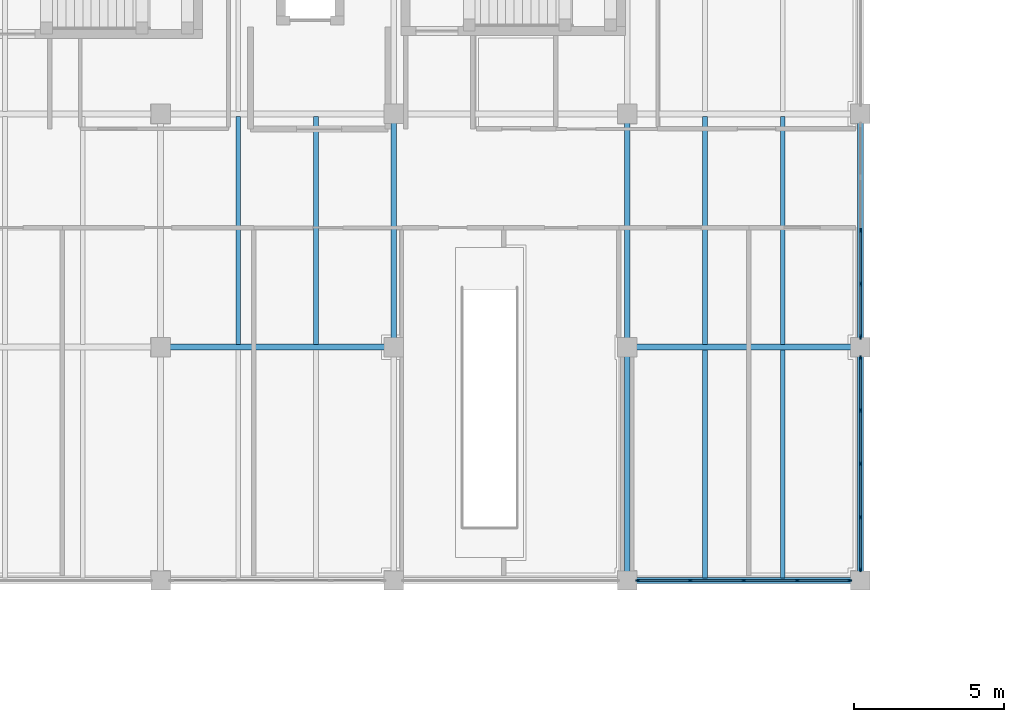
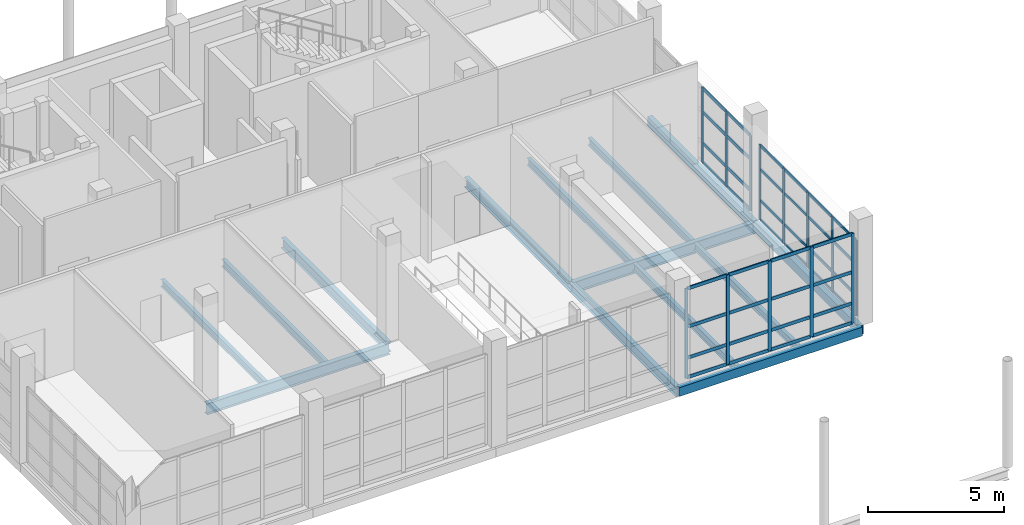
# One storey, part 40 of 138: 53 members, 14 beams, 3 elements without a shape of their own.
"""IFC4 building model written with IfcOpenShell, lengths in metres."""

from ifc_helpers import new_model, si_unit, direction, frame, origin, origin_2d, place, context, subcontext, project, spatial, rectangle, hollow_rectangle, i_section, extrude, material, layer, layer_set, material_profile, profile_set, type_object, element, aggregate, save


model = new_model("IFC4")

# Units and contexts
model_context = context("Model", 3, precision=1e-05, world=origin(), true_north=direction((0.0, 1.0)))
body_context = subcontext(model_context, "Body", "Model", "MODEL_VIEW")
ifc_project = project(units=[si_unit("LENGTHUNIT", "METRE"), si_unit("AREAUNIT", "SQUARE_METRE"), si_unit("VOLUMEUNIT", "CUBIC_METRE"), si_unit("PLANEANGLEUNIT", "RADIAN"), si_unit("MASSUNIT", "GRAM", prefix="KILO")], contexts=[model_context])

# Site, building, storey
site_placement = place(None, origin())
site = spatial("IfcSite", under=ifc_project, at=site_placement, CompositionType="ELEMENT")
building_placement = place(site_placement, origin())
building = spatial("IfcBuilding", under=site, at=building_placement, Name="Celorna Specialist Clinic", CompositionType="ELEMENT")
storey_placement = place(building_placement, frame((0.0, 0.0, 4.800048828125)))
storey = spatial("IfcBuildingStorey", under=building, at=storey_placement, Name="L01", CompositionType="ELEMENT", Elevation=4.800048828125)

# Beams
ifc_material_1 = material(Name="Steel S355", Category="steel")
ifc_material_profile_1 = material_profile(ifc_material_1, i_section(OverallWidth=0.199951171875, OverallDepth=0.5, WebThickness=0.01025390625, FlangeThickness=0.01611328125, at=origin_2d()), Name="IPE 500")
ifc_profile_set_1 = profile_set([ifc_material_profile_1], Name="Steel S355")
beam_type_1 = type_object("IfcBeamType", Name="BM-08", PredefinedType="BEAM", material=ifc_profile_set_1)
for number, where, z_axis, x_axis, name in (
    (1, (62.39990234375, 27.300048828125, -0.510009765625), (1.0, 0.0, 0.0), (0.0, 1.0, 0.0), "Primary girder BM-08 #2069"),
    (2, (78.0, 27.300048828125, -0.510009765625), (1.0, 0.0, 0.0), (0.0, 1.0, 0.0), "Primary girder BM-08 #2070"),
):
    element("IfcBeam", number, at=place(storey_placement, frame(where, z_axis=z_axis, x_axis=x_axis)), inside=storey, type_object=beam_type_1, Name=name, PredefinedType="BEAM", context=body_context, shape_type="SweptSolid", body=[
        extrude(i_section(OverallWidth=0.199951171875, OverallDepth=0.5, WebThickness=0.01025390625, FlangeThickness=0.01611328125, at=origin_2d()), origin(), (0.0, 0.0, 1.0), 7.800048828125),
    ])
ifc_material_profile_2 = material_profile(ifc_material_1, i_section(OverallWidth=0.18994140625, OverallDepth=0.449951171875, WebThickness=0.009521484375, FlangeThickness=0.0146484375, at=origin_2d()), Name="IPE 450")
ifc_profile_set_2 = profile_set([ifc_material_profile_2], Name="Steel S355")
beam_type_2 = type_object("IfcBeamType", Name="BM-09", PredefinedType="BEAM", material=ifc_profile_set_2)
for number, where, z_axis, x_axis, name in (
    (3, (70.199951171875, 27.300048828125, -0.485107421875), (0.0, 1.0, 0.0), (-1.0, 0.0, 0.0), "Transverse girder BM-09 #2085"),
    (4, (78.0, 19.5, -0.485107421875), (0.0, 1.0, 0.0), (-1.0, 0.0, 0.0), "Transverse girder BM-09 #2087"),
    (5, (78.0, 27.300048828125, -0.485107421875), (0.0, 1.0, 0.0), (-1.0, 0.0, 0.0), "Transverse girder BM-09 #2088"),
):
    element("IfcBeam", number, at=place(storey_placement, frame(where, z_axis=z_axis, x_axis=x_axis)), inside=storey, type_object=beam_type_2, Name=name, PredefinedType="BEAM", context=body_context, shape_type="SweptSolid", body=[
        extrude(i_section(OverallWidth=0.18994140625, OverallDepth=0.449951171875, WebThickness=0.009521484375, FlangeThickness=0.0146484375, at=origin_2d()), origin(), (0.0, 0.0, 1.0), 7.800048828125),
    ])
ifc_material_profile_3 = material_profile(ifc_material_1, i_section(OverallWidth=0.159912109375, OverallDepth=0.330078125, WebThickness=0.007568359375, FlangeThickness=0.011474609375, at=origin_2d()), Name="IPE 330")
ifc_profile_set_3 = profile_set([ifc_material_profile_3], Name="Steel S355")
beam_type_3 = type_object("IfcBeamType", Name="BM-12", PredefinedType="JOIST", material=ifc_profile_set_3)
for number, where, z_axis, x_axis, name in (
    (6, (65.0, 27.387939453125, -0.425048828125), (0.0, 1.0, 0.0), (-1.0, 0.0, 0.0), "Secondary floor joist BM-12 #2100"),
    (7, (67.60009765625, 27.387939453125, -0.425048828125), (0.0, 1.0, 0.0), (-1.0, 0.0, 0.0), "Secondary floor joist BM-12 #2101"),
    (8, (80.60009765625, 19.587890625, -0.425048828125), (0.0, 1.0, 0.0), (-1.0, 0.0, 0.0), "Secondary floor joist BM-12 #2103"),
    (9, (83.199951171875, 19.587890625, -0.425048828125), (0.0, 1.0, 0.0), (-1.0, 0.0, 0.0), "Secondary floor joist BM-12 #2104"),
    (10, (80.60009765625, 27.387939453125, -0.425048828125), (0.0, 1.0, 0.0), (-1.0, 0.0, 0.0), "Secondary floor joist BM-12 #2105"),
    (11, (83.199951171875, 27.387939453125, -0.425048828125), (0.0, 1.0, 0.0), (-1.0, 0.0, 0.0), "Secondary floor joist BM-12 #2106"),
):
    element("IfcBeam", number, at=place(storey_placement, frame(where, z_axis=z_axis, x_axis=x_axis)), inside=storey, type_object=beam_type_3, Name=name, PredefinedType="JOIST", context=body_context, shape_type="SweptSolid", body=[
        extrude(i_section(OverallWidth=0.159912109375, OverallDepth=0.330078125, WebThickness=0.007568359375, FlangeThickness=0.011474609375, at=origin_2d()), origin(), (0.0, 0.0, 1.0), 7.6240234375),
    ])
ifc_material_profile_4 = material_profile(ifc_material_1, hollow_rectangle(XDim=0.199951171875, YDim=0.39990234375, WallThickness=0.011962890625, at=origin_2d()), Name="RHS 200x400x12")
ifc_profile_set_4 = profile_set([ifc_material_profile_4], Name="Steel S355")
beam_type_4 = type_object("IfcBeamType", Name="BM-15", PredefinedType="SPANDREL", material=ifc_profile_set_4)
for number, where, z_axis, x_axis, name in (
    (12, (78.0, 19.5, -0.4599609375), (1.0, 0.0, 0.0), (0.0, 1.0, 0.0), "Spandrel beam BM-15 #2067"),
    (13, (85.800048828125, 19.5, -0.4599609375), (0.0, 1.0, 0.0), (-1.0, 0.0, 0.0), "Spandrel beam BM-15 #2090"),
    (14, (85.800048828125, 27.300048828125, -0.4599609375), (0.0, 1.0, 0.0), (-1.0, 0.0, 0.0), "Spandrel beam BM-15 #2091"),
):
    element("IfcBeam", number, at=place(storey_placement, frame(where, z_axis=z_axis, x_axis=x_axis)), inside=storey, type_object=beam_type_4, Name=name, PredefinedType="SPANDREL", context=body_context, shape_type="SweptSolid", body=[
        extrude(hollow_rectangle(XDim=0.199951171875, YDim=0.39990234375, WallThickness=0.011962890625, at=origin_2d()), origin(), (0.0, 0.0, 1.0), 7.800048828125),
    ])

# Curtain wall, members
ifc_material_2 = material(Name="Thermally broken aluminium and solar-control glass curtain wall", Category="aluminium")
ifc_layer_1 = layer(ifc_material_2, 0.159912109375, Name="Thermally broken aluminium and solar-control glass curtain wall")
ifc_layer_set_1 = layer_set([ifc_layer_1], Name="Thermally broken aluminium and solar-control glass curtain wall")
curtain_wall_type_1 = type_object("IfcCurtainWallType", Name="CW-109", PredefinedType="NOTDEFINED", material=ifc_layer_set_1)
curtain_wall_1_placement = place(storey_placement, origin())
curtain_wall_1 = element("IfcCurtainWall", 15, at=curtain_wall_1_placement, inside=storey, type_object=curtain_wall_type_1, Name="Curtain wall CW-109 #194", PredefinedType="NOTDEFINED")
ifc_material_3 = material(Name="Anodized aluminium mullion", Category="aluminium")
ifc_material_profile_5 = material_profile(ifc_material_3, rectangle(XDim=0.050048828125, YDim=0.159912109375, at=origin_2d()), Name="ALU MULLION 50x160")
ifc_profile_set_5 = profile_set([ifc_material_profile_5], Name="Anodized aluminium mullion")
member_type_1 = type_object("IfcMemberType", Name="ML-01", PredefinedType="MULLION", material=ifc_profile_set_5)
member_1_placement = place(storey_placement, frame((85.800048828125, 31.199951171875, 0.0), z_axis=(0.0, 0.0, 1.0), x_axis=(1.0, 0.0, 0.0)))
member_1 = element("IfcMember", 16, at=member_1_placement, type_object=member_type_1, Name="CW-109 mullion 3", PredefinedType="MULLION", context=body_context, shape_type="SweptSolid", body=[
    extrude(rectangle(XDim=0.050048828125, YDim=0.159912109375, at=origin_2d()), origin(), (0.0, 0.0, 1.0), 3.389892578125),
])
member_2_placement = place(storey_placement, frame((85.800048828125, 29.41455078125, 0.0), z_axis=(0.0, 0.0, 1.0), x_axis=(1.0, 0.0, 0.0)))
member_2 = element("IfcMember", 17, at=member_2_placement, type_object=member_type_1, Name="CW-109 mullion 4", PredefinedType="MULLION", context=body_context, shape_type="SweptSolid", body=[
    extrude(rectangle(XDim=0.050048828125, YDim=0.159912109375, at=origin_2d()), origin(), (0.0, 0.0, 1.0), 3.389892578125),
])
member_3_placement = place(storey_placement, frame((85.800048828125, 27.654052734375, 0.0), z_axis=(0.0, 0.0, 1.0), x_axis=(1.0, 0.0, 0.0)))
member_3 = element("IfcMember", 18, at=member_3_placement, type_object=member_type_1, Name="CW-109 mullion 5", PredefinedType="MULLION", context=body_context, shape_type="SweptSolid", body=[
    extrude(rectangle(XDim=0.050048828125, YDim=0.159912109375, at=origin_2d()), origin(), (0.0, 0.0, 1.0), 3.389892578125),
])

ifc_layer_2 = layer(ifc_material_2, 0.159912109375, Name="Thermally broken aluminium and solar-control glass curtain wall")
ifc_layer_set_2 = layer_set([ifc_layer_2], Name="Thermally broken aluminium and solar-control glass curtain wall")
curtain_wall_type_2 = type_object("IfcCurtainWallType", Name="CW-105", PredefinedType="NOTDEFINED", material=ifc_layer_set_2)
curtain_wall_2_placement = place(storey_placement, origin())
curtain_wall_2 = element("IfcCurtainWall", 19, at=curtain_wall_2_placement, inside=storey, type_object=curtain_wall_type_2, Name="Curtain wall CW-105 #189", PredefinedType="NOTDEFINED")
ifc_material_profile_6 = material_profile(ifc_material_3, rectangle(XDim=0.050048828125, YDim=0.139892578125, at=origin_2d()), Name="ALU MULLION 50x140")
ifc_profile_set_6 = profile_set([ifc_material_profile_6], Name="Anodized aluminium mullion")
member_type_2 = type_object("IfcMemberType", Name="ML-03", PredefinedType="MULLION", material=ifc_profile_set_6)
member_4_placement = place(storey_placement, frame((85.446044921875, 19.5, 0.0), z_axis=(0.0, 0.0, 1.0), x_axis=(0.0, -1.0, 0.0)))
member_4 = element("IfcMember", 20, at=member_4_placement, type_object=member_type_2, Name="CW-105 mullion 1", PredefinedType="MULLION", context=body_context, shape_type="SweptSolid", body=[
    extrude(rectangle(XDim=0.050048828125, YDim=0.139892578125, at=origin_2d()), origin(), (0.0, 0.0, 1.0), 4.0400390625),
])
member_5_placement = place(storey_placement, frame((83.685546875, 19.5, 0.0), z_axis=(0.0, 0.0, 1.0), x_axis=(0.0, -1.0, 0.0)))
member_5 = element("IfcMember", 21, at=member_5_placement, type_object=member_type_2, Name="CW-105 mullion 2", PredefinedType="MULLION", context=body_context, shape_type="SweptSolid", body=[
    extrude(rectangle(XDim=0.050048828125, YDim=0.139892578125, at=origin_2d()), origin(), (0.0, 0.0, 1.0), 4.0400390625),
])
member_6_placement = place(storey_placement, frame((81.89990234375, 19.5, 0.0), z_axis=(0.0, 0.0, 1.0), x_axis=(0.0, -1.0, 0.0)))
member_6 = element("IfcMember", 22, at=member_6_placement, type_object=member_type_2, Name="CW-105 mullion 3", PredefinedType="MULLION", context=body_context, shape_type="SweptSolid", body=[
    extrude(rectangle(XDim=0.050048828125, YDim=0.139892578125, at=origin_2d()), origin(), (0.0, 0.0, 1.0), 4.0400390625),
])
member_7_placement = place(storey_placement, frame((80.114501953125, 19.5, 0.0), z_axis=(0.0, 0.0, 1.0), x_axis=(0.0, -1.0, 0.0)))
member_7 = element("IfcMember", 23, at=member_7_placement, type_object=member_type_2, Name="CW-105 mullion 4", PredefinedType="MULLION", context=body_context, shape_type="SweptSolid", body=[
    extrude(rectangle(XDim=0.050048828125, YDim=0.139892578125, at=origin_2d()), origin(), (0.0, 0.0, 1.0), 4.0400390625),
])
member_8_placement = place(storey_placement, frame((78.35400390625, 19.5, 0.0), z_axis=(0.0, 0.0, 1.0), x_axis=(0.0, -1.0, 0.0)))
member_8 = element("IfcMember", 24, at=member_8_placement, type_object=member_type_2, Name="CW-105 mullion 5", PredefinedType="MULLION", context=body_context, shape_type="SweptSolid", body=[
    extrude(rectangle(XDim=0.050048828125, YDim=0.139892578125, at=origin_2d()), origin(), (0.0, 0.0, 1.0), 4.0400390625),
])

ifc_layer_3 = layer(ifc_material_2, 0.159912109375, Name="Thermally broken aluminium and solar-control glass curtain wall")
ifc_layer_set_3 = layer_set([ifc_layer_3], Name="Thermally broken aluminium and solar-control glass curtain wall")
curtain_wall_type_3 = type_object("IfcCurtainWallType", Name="CW-108", PredefinedType="NOTDEFINED", material=ifc_layer_set_3)
curtain_wall_3_placement = place(storey_placement, origin())
curtain_wall_3 = element("IfcCurtainWall", 25, at=curtain_wall_3_placement, inside=storey, type_object=curtain_wall_type_3, Name="Curtain wall CW-108 #193", PredefinedType="NOTDEFINED")
member_9_placement = place(storey_placement, frame((85.800048828125, 26.946044921875, 0.0), z_axis=(0.0, 0.0, 1.0), x_axis=(1.0, 0.0, 0.0)))
member_9 = element("IfcMember", 26, at=member_9_placement, type_object=member_type_2, Name="CW-108 mullion 1", PredefinedType="MULLION", context=body_context, shape_type="SweptSolid", body=[
    extrude(rectangle(XDim=0.050048828125, YDim=0.139892578125, at=origin_2d()), origin(), (0.0, 0.0, 1.0), 3.389892578125),
])
member_10_placement = place(storey_placement, frame((85.800048828125, 25.185546875, 0.0), z_axis=(0.0, 0.0, 1.0), x_axis=(1.0, 0.0, 0.0)))
member_10 = element("IfcMember", 27, at=member_10_placement, type_object=member_type_2, Name="CW-108 mullion 2", PredefinedType="MULLION", context=body_context, shape_type="SweptSolid", body=[
    extrude(rectangle(XDim=0.050048828125, YDim=0.139892578125, at=origin_2d()), origin(), (0.0, 0.0, 1.0), 3.389892578125),
])
member_11_placement = place(storey_placement, frame((85.800048828125, 23.39990234375, 0.0), z_axis=(0.0, 0.0, 1.0), x_axis=(1.0, 0.0, 0.0)))
member_11 = element("IfcMember", 28, at=member_11_placement, type_object=member_type_2, Name="CW-108 mullion 3", PredefinedType="MULLION", context=body_context, shape_type="SweptSolid", body=[
    extrude(rectangle(XDim=0.050048828125, YDim=0.139892578125, at=origin_2d()), origin(), (0.0, 0.0, 1.0), 3.389892578125),
])
member_12_placement = place(storey_placement, frame((85.800048828125, 21.614501953125, 0.0), z_axis=(0.0, 0.0, 1.0), x_axis=(1.0, 0.0, 0.0)))
member_12 = element("IfcMember", 29, at=member_12_placement, type_object=member_type_2, Name="CW-108 mullion 4", PredefinedType="MULLION", context=body_context, shape_type="SweptSolid", body=[
    extrude(rectangle(XDim=0.050048828125, YDim=0.139892578125, at=origin_2d()), origin(), (0.0, 0.0, 1.0), 3.389892578125),
])
member_13_placement = place(storey_placement, frame((85.800048828125, 19.85400390625, 0.0), z_axis=(0.0, 0.0, 1.0), x_axis=(1.0, 0.0, 0.0)))
member_13 = element("IfcMember", 30, at=member_13_placement, type_object=member_type_2, Name="CW-108 mullion 5", PredefinedType="MULLION", context=body_context, shape_type="SweptSolid", body=[
    extrude(rectangle(XDim=0.050048828125, YDim=0.139892578125, at=origin_2d()), origin(), (0.0, 0.0, 1.0), 3.389892578125),
])
ifc_material_4 = material(Name="Anodized aluminium transom", Category="aluminium")
ifc_material_profile_7 = material_profile(ifc_material_4, rectangle(XDim=0.050048828125, YDim=0.1298828125, at=origin_2d()), Name="ALU TRANSOM 50x130")
ifc_profile_set_7 = profile_set([ifc_material_profile_7], Name="Anodized aluminium transom")
member_type_3 = type_object("IfcMemberType", Name="TR-01", PredefinedType="USERDEFINED", material=ifc_profile_set_7)
member_14_placement = place(storey_placement, frame((85.800048828125, 26.9208984375, 0.02490234375), z_axis=(0.0, -1.0, 0.0), x_axis=(1.0, 0.0, 0.0)))
member_14 = element("IfcMember", 31, at=member_14_placement, type_object=member_type_3, Name="CW-108 transom 1.1", ObjectType="TRANSOM", PredefinedType="USERDEFINED", context=body_context, shape_type="SweptSolid", body=[
    extrude(rectangle(XDim=0.050048828125, YDim=0.1298828125, at=origin_2d()), origin(), (0.0, 0.0, 1.0), 1.71044921875),
])
member_15_placement = place(storey_placement, frame((85.800048828125, 26.9208984375, 0.89990234375), z_axis=(0.0, -1.0, 0.0), x_axis=(1.0, 0.0, 0.0)))
member_15 = element("IfcMember", 32, at=member_15_placement, type_object=member_type_3, Name="CW-108 transom 1.2", ObjectType="TRANSOM", PredefinedType="USERDEFINED", context=body_context, shape_type="SweptSolid", body=[
    extrude(rectangle(XDim=0.050048828125, YDim=0.1298828125, at=origin_2d()), origin(), (0.0, 0.0, 1.0), 1.71044921875),
])
member_16_placement = place(storey_placement, frame((85.800048828125, 26.9208984375, 2.300048828125), z_axis=(0.0, -1.0, 0.0), x_axis=(1.0, 0.0, 0.0)))
member_16 = element("IfcMember", 33, at=member_16_placement, type_object=member_type_3, Name="CW-108 transom 1.3", ObjectType="TRANSOM", PredefinedType="USERDEFINED", context=body_context, shape_type="SweptSolid", body=[
    extrude(rectangle(XDim=0.050048828125, YDim=0.1298828125, at=origin_2d()), origin(), (0.0, 0.0, 1.0), 1.71044921875),
])
member_17_placement = place(storey_placement, frame((85.800048828125, 26.9208984375, 3.364990234375), z_axis=(0.0, -1.0, 0.0), x_axis=(1.0, 0.0, 0.0)))
member_17 = element("IfcMember", 34, at=member_17_placement, type_object=member_type_3, Name="CW-108 transom 1.4", ObjectType="TRANSOM", PredefinedType="USERDEFINED", context=body_context, shape_type="SweptSolid", body=[
    extrude(rectangle(XDim=0.050048828125, YDim=0.1298828125, at=origin_2d()), origin(), (0.0, 0.0, 1.0), 1.71044921875),
])
member_18_placement = place(storey_placement, frame((85.800048828125, 25.160400390625, 0.02490234375), z_axis=(0.0, -1.0, 0.0), x_axis=(1.0, 0.0, 0.0)))
member_18 = element("IfcMember", 35, at=member_18_placement, type_object=member_type_3, Name="CW-108 transom 2.1", ObjectType="TRANSOM", PredefinedType="USERDEFINED", context=body_context, shape_type="SweptSolid", body=[
    extrude(rectangle(XDim=0.050048828125, YDim=0.1298828125, at=origin_2d()), origin(), (0.0, 0.0, 1.0), 1.7353515625),
])
member_19_placement = place(storey_placement, frame((85.800048828125, 25.160400390625, 0.89990234375), z_axis=(0.0, -1.0, 0.0), x_axis=(1.0, 0.0, 0.0)))
member_19 = element("IfcMember", 36, at=member_19_placement, type_object=member_type_3, Name="CW-108 transom 2.2", ObjectType="TRANSOM", PredefinedType="USERDEFINED", context=body_context, shape_type="SweptSolid", body=[
    extrude(rectangle(XDim=0.050048828125, YDim=0.1298828125, at=origin_2d()), origin(), (0.0, 0.0, 1.0), 1.7353515625),
])
member_20_placement = place(storey_placement, frame((85.800048828125, 25.160400390625, 2.300048828125), z_axis=(0.0, -1.0, 0.0), x_axis=(1.0, 0.0, 0.0)))
member_20 = element("IfcMember", 37, at=member_20_placement, type_object=member_type_3, Name="CW-108 transom 2.3", ObjectType="TRANSOM", PredefinedType="USERDEFINED", context=body_context, shape_type="SweptSolid", body=[
    extrude(rectangle(XDim=0.050048828125, YDim=0.1298828125, at=origin_2d()), origin(), (0.0, 0.0, 1.0), 1.7353515625),
])
member_21_placement = place(storey_placement, frame((85.800048828125, 25.160400390625, 3.364990234375), z_axis=(0.0, -1.0, 0.0), x_axis=(1.0, 0.0, 0.0)))
member_21 = element("IfcMember", 38, at=member_21_placement, type_object=member_type_3, Name="CW-108 transom 2.4", ObjectType="TRANSOM", PredefinedType="USERDEFINED", context=body_context, shape_type="SweptSolid", body=[
    extrude(rectangle(XDim=0.050048828125, YDim=0.1298828125, at=origin_2d()), origin(), (0.0, 0.0, 1.0), 1.7353515625),
])
member_22_placement = place(storey_placement, frame((85.800048828125, 23.375, 0.02490234375), z_axis=(0.0, -1.0, 0.0), x_axis=(1.0, 0.0, 0.0)))
member_22 = element("IfcMember", 39, at=member_22_placement, type_object=member_type_3, Name="CW-108 transom 3.1", ObjectType="TRANSOM", PredefinedType="USERDEFINED", context=body_context, shape_type="SweptSolid", body=[
    extrude(rectangle(XDim=0.050048828125, YDim=0.1298828125, at=origin_2d()), origin(), (0.0, 0.0, 1.0), 1.735595703125),
])
member_23_placement = place(storey_placement, frame((85.800048828125, 23.375, 0.89990234375), z_axis=(0.0, -1.0, 0.0), x_axis=(1.0, 0.0, 0.0)))
member_23 = element("IfcMember", 40, at=member_23_placement, type_object=member_type_3, Name="CW-108 transom 3.2", ObjectType="TRANSOM", PredefinedType="USERDEFINED", context=body_context, shape_type="SweptSolid", body=[
    extrude(rectangle(XDim=0.050048828125, YDim=0.1298828125, at=origin_2d()), origin(), (0.0, 0.0, 1.0), 1.735595703125),
])
member_24_placement = place(storey_placement, frame((85.800048828125, 23.375, 2.300048828125), z_axis=(0.0, -1.0, 0.0), x_axis=(1.0, 0.0, 0.0)))
member_24 = element("IfcMember", 41, at=member_24_placement, type_object=member_type_3, Name="CW-108 transom 3.3", ObjectType="TRANSOM", PredefinedType="USERDEFINED", context=body_context, shape_type="SweptSolid", body=[
    extrude(rectangle(XDim=0.050048828125, YDim=0.1298828125, at=origin_2d()), origin(), (0.0, 0.0, 1.0), 1.735595703125),
])
member_25_placement = place(storey_placement, frame((85.800048828125, 23.375, 3.364990234375), z_axis=(0.0, -1.0, 0.0), x_axis=(1.0, 0.0, 0.0)))
member_25 = element("IfcMember", 42, at=member_25_placement, type_object=member_type_3, Name="CW-108 transom 3.4", ObjectType="TRANSOM", PredefinedType="USERDEFINED", context=body_context, shape_type="SweptSolid", body=[
    extrude(rectangle(XDim=0.050048828125, YDim=0.1298828125, at=origin_2d()), origin(), (0.0, 0.0, 1.0), 1.735595703125),
])
member_26_placement = place(storey_placement, frame((85.800048828125, 21.589599609375, 0.02490234375), z_axis=(0.0, -1.0, 0.0), x_axis=(1.0, 0.0, 0.0)))
member_26 = element("IfcMember", 43, at=member_26_placement, type_object=member_type_3, Name="CW-108 transom 4.1", ObjectType="TRANSOM", PredefinedType="USERDEFINED", context=body_context, shape_type="SweptSolid", body=[
    extrude(rectangle(XDim=0.050048828125, YDim=0.1298828125, at=origin_2d()), origin(), (0.0, 0.0, 1.0), 1.710693359375),
])
member_27_placement = place(storey_placement, frame((85.800048828125, 21.589599609375, 0.89990234375), z_axis=(0.0, -1.0, 0.0), x_axis=(1.0, 0.0, 0.0)))
member_27 = element("IfcMember", 44, at=member_27_placement, type_object=member_type_3, Name="CW-108 transom 4.2", ObjectType="TRANSOM", PredefinedType="USERDEFINED", context=body_context, shape_type="SweptSolid", body=[
    extrude(rectangle(XDim=0.050048828125, YDim=0.1298828125, at=origin_2d()), origin(), (0.0, 0.0, 1.0), 1.710693359375),
])
member_28_placement = place(storey_placement, frame((85.800048828125, 21.589599609375, 2.300048828125), z_axis=(0.0, -1.0, 0.0), x_axis=(1.0, 0.0, 0.0)))
member_28 = element("IfcMember", 45, at=member_28_placement, type_object=member_type_3, Name="CW-108 transom 4.3", ObjectType="TRANSOM", PredefinedType="USERDEFINED", context=body_context, shape_type="SweptSolid", body=[
    extrude(rectangle(XDim=0.050048828125, YDim=0.1298828125, at=origin_2d()), origin(), (0.0, 0.0, 1.0), 1.710693359375),
])
member_29_placement = place(storey_placement, frame((85.800048828125, 21.589599609375, 3.364990234375), z_axis=(0.0, -1.0, 0.0), x_axis=(1.0, 0.0, 0.0)))
member_29 = element("IfcMember", 46, at=member_29_placement, type_object=member_type_3, Name="CW-108 transom 4.4", ObjectType="TRANSOM", PredefinedType="USERDEFINED", context=body_context, shape_type="SweptSolid", body=[
    extrude(rectangle(XDim=0.050048828125, YDim=0.1298828125, at=origin_2d()), origin(), (0.0, 0.0, 1.0), 1.710693359375),
])
aggregate(curtain_wall_3, [member_9, member_10, member_11, member_12, member_13, member_14, member_15, member_16, member_17, member_18, member_19, member_20, member_21, member_22, member_23, member_24, member_25, member_26, member_27, member_28, member_29])

# Member
ifc_material_profile_8 = material_profile(ifc_material_4, rectangle(XDim=0.050048828125, YDim=0.14990234375, at=origin_2d()), Name="ALU TRANSOM 50x150")
ifc_profile_set_8 = profile_set([ifc_material_profile_8], Name="Anodized aluminium transom")
member_type_4 = type_object("IfcMemberType", Name="TR-02", PredefinedType="USERDEFINED", material=ifc_profile_set_8)
member_30_placement = place(storey_placement, frame((85.4208984375, 19.5, 0.02490234375), z_axis=(-1.0, 0.0, 0.0), x_axis=(0.0, -1.0, 0.0)))
member_30 = element("IfcMember", 47, at=member_30_placement, type_object=member_type_4, Name="CW-105 transom 1.1", ObjectType="TRANSOM", PredefinedType="USERDEFINED", context=body_context, shape_type="SweptSolid", body=[
    extrude(rectangle(XDim=0.050048828125, YDim=0.14990234375, at=origin_2d()), origin(), (0.0, 0.0, 1.0), 1.71044921875),
])

member_31_placement = place(storey_placement, frame((85.4208984375, 19.5, 0.89990234375), z_axis=(-1.0, 0.0, 0.0), x_axis=(0.0, -1.0, 0.0)))
member_31 = element("IfcMember", 48, at=member_31_placement, type_object=member_type_4, Name="CW-105 transom 1.2", ObjectType="TRANSOM", PredefinedType="USERDEFINED", context=body_context, shape_type="SweptSolid", body=[
    extrude(rectangle(XDim=0.050048828125, YDim=0.14990234375, at=origin_2d()), origin(), (0.0, 0.0, 1.0), 1.71044921875),
])

member_32_placement = place(storey_placement, frame((85.4208984375, 19.5, 2.300048828125), z_axis=(-1.0, 0.0, 0.0), x_axis=(0.0, -1.0, 0.0)))
member_32 = element("IfcMember", 49, at=member_32_placement, type_object=member_type_4, Name="CW-105 transom 1.3", ObjectType="TRANSOM", PredefinedType="USERDEFINED", context=body_context, shape_type="SweptSolid", body=[
    extrude(rectangle(XDim=0.050048828125, YDim=0.14990234375, at=origin_2d()), origin(), (0.0, 0.0, 1.0), 1.71044921875),
])

member_33_placement = place(storey_placement, frame((85.4208984375, 19.5, 4.014892578125), z_axis=(-1.0, 0.0, 0.0), x_axis=(0.0, -1.0, 0.0)))
member_33 = element("IfcMember", 50, at=member_33_placement, type_object=member_type_4, Name="CW-105 transom 1.4", ObjectType="TRANSOM", PredefinedType="USERDEFINED", context=body_context, shape_type="SweptSolid", body=[
    extrude(rectangle(XDim=0.050048828125, YDim=0.14990234375, at=origin_2d()), origin(), (0.0, 0.0, 1.0), 1.71044921875),
])

member_34_placement = place(storey_placement, frame((83.660400390625, 19.5, 0.02490234375), z_axis=(-1.0, 0.0, 0.0), x_axis=(0.0, -1.0, 0.0)))
member_34 = element("IfcMember", 51, at=member_34_placement, type_object=member_type_4, Name="CW-105 transom 2.1", ObjectType="TRANSOM", PredefinedType="USERDEFINED", context=body_context, shape_type="SweptSolid", body=[
    extrude(rectangle(XDim=0.050048828125, YDim=0.14990234375, at=origin_2d()), origin(), (0.0, 0.0, 1.0), 1.7353515625),
])

member_35_placement = place(storey_placement, frame((83.660400390625, 19.5, 0.89990234375), z_axis=(-1.0, 0.0, 0.0), x_axis=(0.0, -1.0, 0.0)))
member_35 = element("IfcMember", 52, at=member_35_placement, type_object=member_type_4, Name="CW-105 transom 2.2", ObjectType="TRANSOM", PredefinedType="USERDEFINED", context=body_context, shape_type="SweptSolid", body=[
    extrude(rectangle(XDim=0.050048828125, YDim=0.14990234375, at=origin_2d()), origin(), (0.0, 0.0, 1.0), 1.7353515625),
])

member_36_placement = place(storey_placement, frame((83.660400390625, 19.5, 2.300048828125), z_axis=(-1.0, 0.0, 0.0), x_axis=(0.0, -1.0, 0.0)))
member_36 = element("IfcMember", 53, at=member_36_placement, type_object=member_type_4, Name="CW-105 transom 2.3", ObjectType="TRANSOM", PredefinedType="USERDEFINED", context=body_context, shape_type="SweptSolid", body=[
    extrude(rectangle(XDim=0.050048828125, YDim=0.14990234375, at=origin_2d()), origin(), (0.0, 0.0, 1.0), 1.7353515625),
])

member_37_placement = place(storey_placement, frame((83.660400390625, 19.5, 4.014892578125), z_axis=(-1.0, 0.0, 0.0), x_axis=(0.0, -1.0, 0.0)))
member_37 = element("IfcMember", 54, at=member_37_placement, type_object=member_type_4, Name="CW-105 transom 2.4", ObjectType="TRANSOM", PredefinedType="USERDEFINED", context=body_context, shape_type="SweptSolid", body=[
    extrude(rectangle(XDim=0.050048828125, YDim=0.14990234375, at=origin_2d()), origin(), (0.0, 0.0, 1.0), 1.7353515625),
])

member_38_placement = place(storey_placement, frame((81.875, 19.5, 0.02490234375), z_axis=(-1.0, 0.0, 0.0), x_axis=(0.0, -1.0, 0.0)))
member_38 = element("IfcMember", 55, at=member_38_placement, type_object=member_type_4, Name="CW-105 transom 3.1", ObjectType="TRANSOM", PredefinedType="USERDEFINED", context=body_context, shape_type="SweptSolid", body=[
    extrude(rectangle(XDim=0.050048828125, YDim=0.14990234375, at=origin_2d()), origin(), (0.0, 0.0, 1.0), 1.735595703125),
])

member_39_placement = place(storey_placement, frame((81.875, 19.5, 0.89990234375), z_axis=(-1.0, 0.0, 0.0), x_axis=(0.0, -1.0, 0.0)))
member_39 = element("IfcMember", 56, at=member_39_placement, type_object=member_type_4, Name="CW-105 transom 3.2", ObjectType="TRANSOM", PredefinedType="USERDEFINED", context=body_context, shape_type="SweptSolid", body=[
    extrude(rectangle(XDim=0.050048828125, YDim=0.14990234375, at=origin_2d()), origin(), (0.0, 0.0, 1.0), 1.735595703125),
])

member_40_placement = place(storey_placement, frame((81.875, 19.5, 2.300048828125), z_axis=(-1.0, 0.0, 0.0), x_axis=(0.0, -1.0, 0.0)))
member_40 = element("IfcMember", 57, at=member_40_placement, type_object=member_type_4, Name="CW-105 transom 3.3", ObjectType="TRANSOM", PredefinedType="USERDEFINED", context=body_context, shape_type="SweptSolid", body=[
    extrude(rectangle(XDim=0.050048828125, YDim=0.14990234375, at=origin_2d()), origin(), (0.0, 0.0, 1.0), 1.735595703125),
])

member_41_placement = place(storey_placement, frame((81.875, 19.5, 4.014892578125), z_axis=(-1.0, 0.0, 0.0), x_axis=(0.0, -1.0, 0.0)))
member_41 = element("IfcMember", 58, at=member_41_placement, type_object=member_type_4, Name="CW-105 transom 3.4", ObjectType="TRANSOM", PredefinedType="USERDEFINED", context=body_context, shape_type="SweptSolid", body=[
    extrude(rectangle(XDim=0.050048828125, YDim=0.14990234375, at=origin_2d()), origin(), (0.0, 0.0, 1.0), 1.735595703125),
])

member_42_placement = place(storey_placement, frame((80.089599609375, 19.5, 0.02490234375), z_axis=(-1.0, 0.0, 0.0), x_axis=(0.0, -1.0, 0.0)))
member_42 = element("IfcMember", 59, at=member_42_placement, type_object=member_type_4, Name="CW-105 transom 4.1", ObjectType="TRANSOM", PredefinedType="USERDEFINED", context=body_context, shape_type="SweptSolid", body=[
    extrude(rectangle(XDim=0.050048828125, YDim=0.14990234375, at=origin_2d()), origin(), (0.0, 0.0, 1.0), 1.710693359375),
])

member_43_placement = place(storey_placement, frame((80.089599609375, 19.5, 0.89990234375), z_axis=(-1.0, 0.0, 0.0), x_axis=(0.0, -1.0, 0.0)))
member_43 = element("IfcMember", 60, at=member_43_placement, type_object=member_type_4, Name="CW-105 transom 4.2", ObjectType="TRANSOM", PredefinedType="USERDEFINED", context=body_context, shape_type="SweptSolid", body=[
    extrude(rectangle(XDim=0.050048828125, YDim=0.14990234375, at=origin_2d()), origin(), (0.0, 0.0, 1.0), 1.710693359375),
])

member_44_placement = place(storey_placement, frame((80.089599609375, 19.5, 2.300048828125), z_axis=(-1.0, 0.0, 0.0), x_axis=(0.0, -1.0, 0.0)))
member_44 = element("IfcMember", 61, at=member_44_placement, type_object=member_type_4, Name="CW-105 transom 4.3", ObjectType="TRANSOM", PredefinedType="USERDEFINED", context=body_context, shape_type="SweptSolid", body=[
    extrude(rectangle(XDim=0.050048828125, YDim=0.14990234375, at=origin_2d()), origin(), (0.0, 0.0, 1.0), 1.710693359375),
])

member_45_placement = place(storey_placement, frame((80.089599609375, 19.5, 4.014892578125), z_axis=(-1.0, 0.0, 0.0), x_axis=(0.0, -1.0, 0.0)))
member_45 = element("IfcMember", 62, at=member_45_placement, type_object=member_type_4, Name="CW-105 transom 4.4", ObjectType="TRANSOM", PredefinedType="USERDEFINED", context=body_context, shape_type="SweptSolid", body=[
    extrude(rectangle(XDim=0.050048828125, YDim=0.14990234375, at=origin_2d()), origin(), (0.0, 0.0, 1.0), 1.710693359375),
])

aggregate(curtain_wall_2, [member_4, member_5, member_6, member_7, member_8, member_30, member_31, member_32, member_33, member_34, member_35, member_36, member_37, member_38, member_39, member_40, member_41, member_42, member_43, member_44, member_45])

member_46_placement = place(storey_placement, frame((85.800048828125, 31.175048828125, 0.02490234375), z_axis=(0.0, -1.0, 0.0), x_axis=(1.0, 0.0, 0.0)))
member_46 = element("IfcMember", 63, at=member_46_placement, type_object=member_type_4, Name="CW-109 transom 3.1", ObjectType="TRANSOM", PredefinedType="USERDEFINED", context=body_context, shape_type="SweptSolid", body=[
    extrude(rectangle(XDim=0.050048828125, YDim=0.14990234375, at=origin_2d()), origin(), (0.0, 0.0, 1.0), 1.735595703125),
])

member_47_placement = place(storey_placement, frame((85.800048828125, 31.175048828125, 0.89990234375), z_axis=(0.0, -1.0, 0.0), x_axis=(1.0, 0.0, 0.0)))
member_47 = element("IfcMember", 64, at=member_47_placement, type_object=member_type_4, Name="CW-109 transom 3.2", ObjectType="TRANSOM", PredefinedType="USERDEFINED", context=body_context, shape_type="SweptSolid", body=[
    extrude(rectangle(XDim=0.050048828125, YDim=0.14990234375, at=origin_2d()), origin(), (0.0, 0.0, 1.0), 1.735595703125),
])

member_48_placement = place(storey_placement, frame((85.800048828125, 31.175048828125, 2.300048828125), z_axis=(0.0, -1.0, 0.0), x_axis=(1.0, 0.0, 0.0)))
member_48 = element("IfcMember", 65, at=member_48_placement, type_object=member_type_4, Name="CW-109 transom 3.3", ObjectType="TRANSOM", PredefinedType="USERDEFINED", context=body_context, shape_type="SweptSolid", body=[
    extrude(rectangle(XDim=0.050048828125, YDim=0.14990234375, at=origin_2d()), origin(), (0.0, 0.0, 1.0), 1.735595703125),
])

member_49_placement = place(storey_placement, frame((85.800048828125, 31.175048828125, 3.364990234375), z_axis=(0.0, -1.0, 0.0), x_axis=(1.0, 0.0, 0.0)))
member_49 = element("IfcMember", 66, at=member_49_placement, type_object=member_type_4, Name="CW-109 transom 3.4", ObjectType="TRANSOM", PredefinedType="USERDEFINED", context=body_context, shape_type="SweptSolid", body=[
    extrude(rectangle(XDim=0.050048828125, YDim=0.14990234375, at=origin_2d()), origin(), (0.0, 0.0, 1.0), 1.735595703125),
])

member_50_placement = place(storey_placement, frame((85.800048828125, 29.389404296875, 0.02490234375), z_axis=(0.0, -1.0, 0.0), x_axis=(1.0, 0.0, 0.0)))
member_50 = element("IfcMember", 67, at=member_50_placement, type_object=member_type_4, Name="CW-109 transom 4.1", ObjectType="TRANSOM", PredefinedType="USERDEFINED", context=body_context, shape_type="SweptSolid", body=[
    extrude(rectangle(XDim=0.050048828125, YDim=0.14990234375, at=origin_2d()), origin(), (0.0, 0.0, 1.0), 1.71044921875),
])

member_51_placement = place(storey_placement, frame((85.800048828125, 29.389404296875, 0.89990234375), z_axis=(0.0, -1.0, 0.0), x_axis=(1.0, 0.0, 0.0)))
member_51 = element("IfcMember", 68, at=member_51_placement, type_object=member_type_4, Name="CW-109 transom 4.2", ObjectType="TRANSOM", PredefinedType="USERDEFINED", context=body_context, shape_type="SweptSolid", body=[
    extrude(rectangle(XDim=0.050048828125, YDim=0.14990234375, at=origin_2d()), origin(), (0.0, 0.0, 1.0), 1.71044921875),
])

member_52_placement = place(storey_placement, frame((85.800048828125, 29.389404296875, 2.300048828125), z_axis=(0.0, -1.0, 0.0), x_axis=(1.0, 0.0, 0.0)))
member_52 = element("IfcMember", 69, at=member_52_placement, type_object=member_type_4, Name="CW-109 transom 4.3", ObjectType="TRANSOM", PredefinedType="USERDEFINED", context=body_context, shape_type="SweptSolid", body=[
    extrude(rectangle(XDim=0.050048828125, YDim=0.14990234375, at=origin_2d()), origin(), (0.0, 0.0, 1.0), 1.71044921875),
])

member_53_placement = place(storey_placement, frame((85.800048828125, 29.389404296875, 3.364990234375), z_axis=(0.0, -1.0, 0.0), x_axis=(1.0, 0.0, 0.0)))
member_53 = element("IfcMember", 70, at=member_53_placement, type_object=member_type_4, Name="CW-109 transom 4.4", ObjectType="TRANSOM", PredefinedType="USERDEFINED", context=body_context, shape_type="SweptSolid", body=[
    extrude(rectangle(XDim=0.050048828125, YDim=0.14990234375, at=origin_2d()), origin(), (0.0, 0.0, 1.0), 1.71044921875),
])

aggregate(curtain_wall_1, [member_1, member_2, member_3, member_46, member_47, member_48, member_49, member_50, member_51, member_52, member_53])

save(model, "model.ifc")
